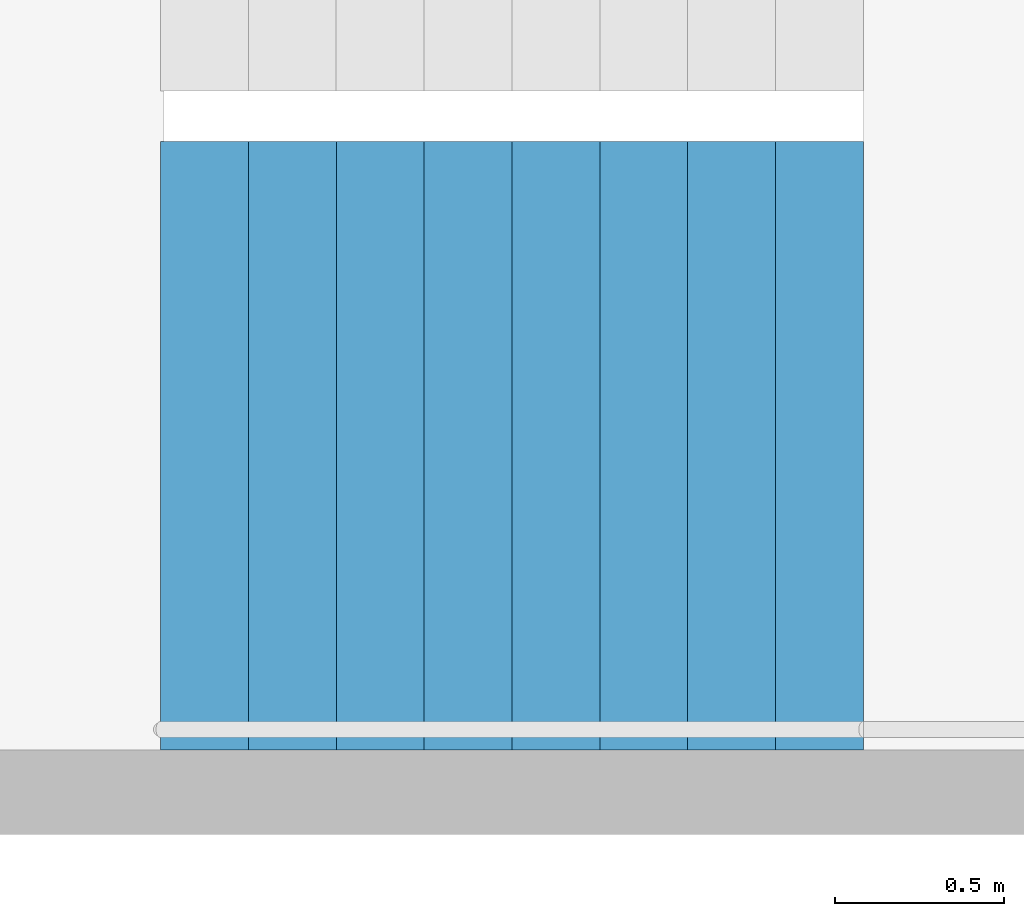
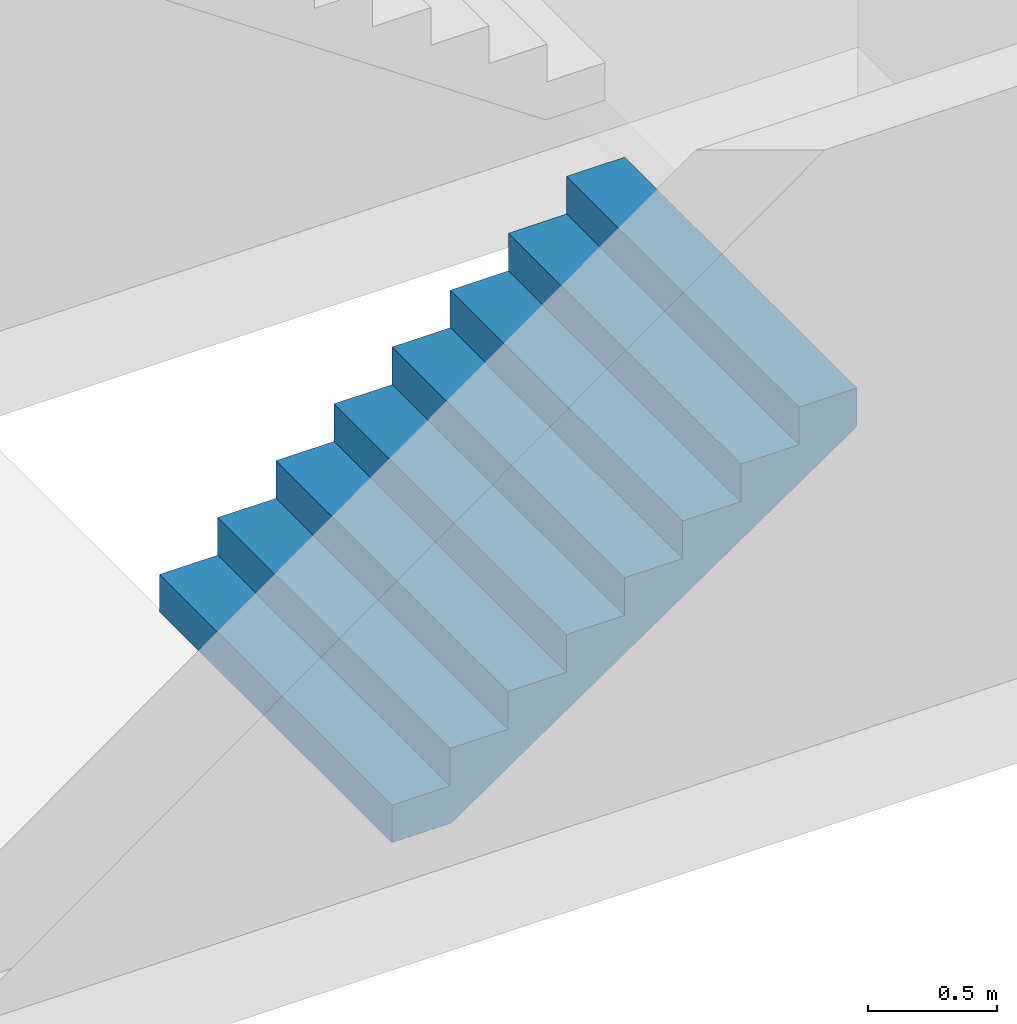
# One storey, part 23 of 29: 1 stair flight, 1 element without a shape of its own.
"""IFC4 building model written with IfcOpenShell, lengths in metres."""

from ifc_helpers import new_model, si_unit, direction, frame, origin, place, context, subcontext, project, spatial, triangles, material, type_object, element, aggregate, save


model = new_model("IFC4")

# Units and contexts
model_context = context("Model", 3, precision=1e-05, world=origin(), true_north=direction((0.0, 1.0)))
body_context = subcontext(model_context, "Body", "Model", "MODEL_VIEW")
ifc_project = project(units=[si_unit("LENGTHUNIT", "METRE"), si_unit("AREAUNIT", "SQUARE_METRE"), si_unit("VOLUMEUNIT", "CUBIC_METRE"), si_unit("PLANEANGLEUNIT", "RADIAN"), si_unit("MASSUNIT", "GRAM", prefix="KILO")], contexts=[model_context])

# Site, building, storey
site_placement = place(None, origin())
site = spatial("IfcSite", under=ifc_project, at=site_placement, CompositionType="ELEMENT")
building_placement = place(site_placement, origin())
building = spatial("IfcBuilding", under=site, at=building_placement, Name="Hakoniwa Tower and Hamabe Station Hall", CompositionType="ELEMENT")
storey_placement = place(building_placement, frame((0.0, 0.0, 75.39990234375)))
storey = spatial("IfcBuildingStorey", under=building, at=storey_placement, Name="L20", CompositionType="ELEMENT", Elevation=75.39990234375)

# Stair, stair flight
ifc_material_1 = material(Name="Concrete C40", Category="concrete")
stair_type = type_object("IfcStairType", Name="ESCAPE STAIR 1800", PredefinedType="HALF_TURN_STAIR", material=ifc_material_1)
stair_placement = place(storey_placement, origin())
stair = element("IfcStair", 1, at=stair_placement, inside=storey, type_object=stair_type, Name="Escape stair ST-1 L20", PredefinedType="HALF_TURN_STAIR")
ifc_material_2 = material(Name="Concrete C40", Category="concrete")
stair_flight_type = type_object("IfcStairFlightType", Name="STAIR FLIGHT 1800", PredefinedType="STRAIGHT", material=ifc_material_2)
stair_flight_placement = place(storey_placement, frame((-24.39990234375, 4.64990234375, 0.0), z_axis=(0.0, 0.0, 1.0), x_axis=(1.0, 0.0, 0.0)))
stair_flight = element("IfcStairFlight", 2, at=stair_flight_placement, type_object=stair_flight_type, Name="ST-1 flight 1", NumberOfRisers=9, NumberOfTreads=8, PredefinedType="STRAIGHT", RiserHeight=0.177777778, TreadLength=0.26, context=body_context, shape_type="Tessellation", body=[
    triangles([(0.0, 0.89990234375, 0.0), (0.260009765625, 0.89990234375, 0.0), (0.265625, 0.89990234375, 0.0), (0.52001953125, 0.89990234375, 0.174072265625), (0.780029296875, 0.89990234375, 0.351806640625), (1.0400390625, 0.89990234375, 0.529541015625), (1.300048828125, 0.89990234375, 0.707275390625), (1.56005859375, 0.89990234375, 0.885009765625), (1.820068359375, 0.89990234375, 1.062744140625), (2.080078125, 0.89990234375, 1.24072265625), (2.080078125, 0.89990234375, 1.422119140625), (1.820068359375, 0.89990234375, 1.422119140625), (1.820068359375, 0.89990234375, 1.244384765625), (1.56005859375, 0.89990234375, 1.244384765625), (1.56005859375, 0.89990234375, 1.066650390625), (1.300048828125, 0.89990234375, 1.066650390625), (1.300048828125, 0.89990234375, 0.888916015625), (1.0400390625, 0.89990234375, 0.888916015625), (1.0400390625, 0.89990234375, 0.711181640625), (0.780029296875, 0.89990234375, 0.711181640625), (0.780029296875, 0.89990234375, 0.533447265625), (0.52001953125, 0.89990234375, 0.533447265625), (0.52001953125, 0.89990234375, 0.35546875), (0.265625, 0.89990234375, 0.35546875), (0.260009765625, 0.89990234375, 0.35546875), (0.260009765625, 0.89990234375, 0.177734375), (0.0, 0.89990234375, 0.177734375), (0.0, 0.06005859375, 0.0), (0.260009765625, 0.06005859375, 0.0), (0.265625, 0.06005859375, 0.0), (0.52001953125, 0.06005859375, 0.174072265625), (0.780029296875, 0.06005859375, 0.351806640625), (1.0400390625, 0.06005859375, 0.529541015625), (1.300048828125, 0.06005859375, 0.707275390625), (1.56005859375, 0.06005859375, 0.885009765625), (1.820068359375, 0.06005859375, 1.062744140625), (2.080078125, 0.06005859375, 1.24072265625), (2.080078125, 0.06005859375, 1.422119140625), (1.820068359375, 0.06005859375, 1.422119140625), (1.820068359375, 0.06005859375, 1.244384765625), (1.56005859375, 0.06005859375, 1.244384765625), (1.56005859375, 0.06005859375, 1.066650390625), (1.300048828125, 0.06005859375, 1.066650390625), (1.300048828125, 0.06005859375, 0.888916015625), (1.0400390625, 0.06005859375, 0.888916015625), (1.0400390625, 0.06005859375, 0.711181640625), (0.780029296875, 0.06005859375, 0.711181640625), (0.780029296875, 0.06005859375, 0.533447265625), (0.52001953125, 0.06005859375, 0.533447265625), (0.52001953125, 0.06005859375, 0.35546875), (0.265625, 0.06005859375, 0.35546875), (0.260009765625, 0.06005859375, 0.35546875), (0.260009765625, 0.06005859375, 0.177734375), (0.0, 0.06005859375, 0.177734375), (0.0, 0.04296875, 0.0), (0.260009765625, 0.04296875, 0.0), (0.265625, 0.04296875, 0.0), (0.52001953125, 0.04296875, 0.174072265625), (0.780029296875, 0.04296875, 0.351806640625), (1.0400390625, 0.04296875, 0.529541015625), (1.300048828125, 0.04296875, 0.707275390625), (1.56005859375, 0.04296875, 0.885009765625), (1.820068359375, 0.04296875, 1.062744140625), (2.080078125, 0.04296875, 1.24072265625), (2.080078125, 0.04296875, 1.422119140625), (1.820068359375, 0.04296875, 1.422119140625), (1.820068359375, 0.04296875, 1.244384765625), (1.56005859375, 0.04296875, 1.244384765625), (1.56005859375, 0.04296875, 1.066650390625), (1.300048828125, 0.04296875, 1.066650390625), (1.300048828125, 0.04296875, 0.888916015625), (1.0400390625, 0.04296875, 0.888916015625), (1.0400390625, 0.04296875, 0.711181640625), (0.780029296875, 0.04296875, 0.711181640625), (0.780029296875, 0.04296875, 0.533447265625), (0.52001953125, 0.04296875, 0.533447265625), (0.52001953125, 0.04296875, 0.35546875), (0.265625, 0.04296875, 0.35546875), (0.260009765625, 0.04296875, 0.35546875), (0.260009765625, 0.04296875, 0.177734375), (0.0, 0.04296875, 0.177734375), (0.0, 0.025634765625, 0.0), (0.260009765625, 0.025634765625, 0.0), (0.265625, 0.025634765625, 0.0), (0.52001953125, 0.025634765625, 0.174072265625), (0.780029296875, 0.025634765625, 0.351806640625), (1.0400390625, 0.025634765625, 0.529541015625), (1.300048828125, 0.025634765625, 0.707275390625), (1.56005859375, 0.025634765625, 0.885009765625), (1.820068359375, 0.025634765625, 1.062744140625), (2.080078125, 0.025634765625, 1.24072265625), (2.080078125, 0.025634765625, 1.422119140625), (1.820068359375, 0.025634765625, 1.422119140625), (1.820068359375, 0.025634765625, 1.244384765625), (1.56005859375, 0.025634765625, 1.244384765625), (1.56005859375, 0.025634765625, 1.066650390625), (1.300048828125, 0.025634765625, 1.066650390625), (1.300048828125, 0.025634765625, 0.888916015625), (1.0400390625, 0.025634765625, 0.888916015625), (1.0400390625, 0.025634765625, 0.711181640625), (0.780029296875, 0.025634765625, 0.711181640625), (0.780029296875, 0.025634765625, 0.533447265625), (0.52001953125, 0.025634765625, 0.533447265625), (0.52001953125, 0.025634765625, 0.35546875), (0.265625, 0.025634765625, 0.35546875), (0.260009765625, 0.025634765625, 0.35546875), (0.260009765625, 0.025634765625, 0.177734375), (0.0, 0.025634765625, 0.177734375), (0.0, 0.008544921875, 0.0), (0.260009765625, 0.008544921875, 0.0), (0.265625, 0.008544921875, 0.0), (0.52001953125, 0.008544921875, 0.174072265625), (0.780029296875, 0.008544921875, 0.351806640625), (1.0400390625, 0.008544921875, 0.529541015625), (1.300048828125, 0.008544921875, 0.707275390625), (1.56005859375, 0.008544921875, 0.885009765625), (1.820068359375, 0.008544921875, 1.062744140625), (2.080078125, 0.008544921875, 1.24072265625), (2.080078125, 0.008544921875, 1.422119140625), (1.820068359375, 0.008544921875, 1.422119140625), (1.820068359375, 0.008544921875, 1.244384765625), (1.56005859375, 0.008544921875, 1.244384765625), (1.56005859375, 0.008544921875, 1.066650390625), (1.300048828125, 0.008544921875, 1.066650390625), (1.300048828125, 0.008544921875, 0.888916015625), (1.0400390625, 0.008544921875, 0.888916015625), (1.0400390625, 0.008544921875, 0.711181640625), (0.780029296875, 0.008544921875, 0.711181640625), (0.780029296875, 0.008544921875, 0.533447265625), (0.52001953125, 0.008544921875, 0.533447265625), (0.52001953125, 0.008544921875, 0.35546875), (0.265625, 0.008544921875, 0.35546875), (0.260009765625, 0.008544921875, 0.35546875), (0.260009765625, 0.008544921875, 0.177734375), (0.0, 0.008544921875, 0.177734375), (0.0, -0.008544921875, 0.0), (0.260009765625, -0.008544921875, 0.0), (0.265625, -0.008544921875, 0.0), (0.52001953125, -0.008544921875, 0.174072265625), (0.780029296875, -0.008544921875, 0.351806640625), (1.0400390625, -0.008544921875, 0.529541015625), (1.300048828125, -0.008544921875, 0.707275390625), (1.56005859375, -0.008544921875, 0.885009765625), (1.820068359375, -0.008544921875, 1.062744140625), (2.080078125, -0.008544921875, 1.24072265625), (2.080078125, -0.008544921875, 1.422119140625), (1.820068359375, -0.008544921875, 1.422119140625), (1.820068359375, -0.008544921875, 1.244384765625), (1.56005859375, -0.008544921875, 1.244384765625), (1.56005859375, -0.008544921875, 1.066650390625), (1.300048828125, -0.008544921875, 1.066650390625), (1.300048828125, -0.008544921875, 0.888916015625), (1.0400390625, -0.008544921875, 0.888916015625), (1.0400390625, -0.008544921875, 0.711181640625), (0.780029296875, -0.008544921875, 0.711181640625), (0.780029296875, -0.008544921875, 0.533447265625), (0.52001953125, -0.008544921875, 0.533447265625), (0.52001953125, -0.008544921875, 0.35546875), (0.265625, -0.008544921875, 0.35546875), (0.260009765625, -0.008544921875, 0.35546875), (0.260009765625, -0.008544921875, 0.177734375), (0.0, -0.008544921875, 0.177734375), (0.0, -0.025634765625, 0.0), (0.260009765625, -0.025634765625, 0.0), (0.265625, -0.025634765625, 0.0), (0.52001953125, -0.025634765625, 0.174072265625), (0.780029296875, -0.025634765625, 0.351806640625), (1.0400390625, -0.025634765625, 0.529541015625), (1.300048828125, -0.025634765625, 0.707275390625), (1.56005859375, -0.025634765625, 0.885009765625), (1.820068359375, -0.025634765625, 1.062744140625), (2.080078125, -0.025634765625, 1.24072265625), (2.080078125, -0.025634765625, 1.422119140625), (1.820068359375, -0.025634765625, 1.422119140625), (1.820068359375, -0.025634765625, 1.244384765625), (1.56005859375, -0.025634765625, 1.244384765625), (1.56005859375, -0.025634765625, 1.066650390625), (1.300048828125, -0.025634765625, 1.066650390625), (1.300048828125, -0.025634765625, 0.888916015625), (1.0400390625, -0.025634765625, 0.888916015625), (1.0400390625, -0.025634765625, 0.711181640625), (0.780029296875, -0.025634765625, 0.711181640625), (0.780029296875, -0.025634765625, 0.533447265625), (0.52001953125, -0.025634765625, 0.533447265625), (0.52001953125, -0.025634765625, 0.35546875), (0.265625, -0.025634765625, 0.35546875), (0.260009765625, -0.025634765625, 0.35546875), (0.260009765625, -0.025634765625, 0.177734375), (0.0, -0.025634765625, 0.177734375), (0.0, -0.04296875, 0.0), (0.260009765625, -0.04296875, 0.0), (0.265625, -0.04296875, 0.0), (0.52001953125, -0.04296875, 0.174072265625), (0.780029296875, -0.04296875, 0.351806640625), (1.0400390625, -0.04296875, 0.529541015625), (1.300048828125, -0.04296875, 0.707275390625), (1.56005859375, -0.04296875, 0.885009765625), (1.820068359375, -0.04296875, 1.062744140625), (2.080078125, -0.04296875, 1.24072265625), (2.080078125, -0.04296875, 1.422119140625), (1.820068359375, -0.04296875, 1.422119140625), (1.820068359375, -0.04296875, 1.244384765625), (1.56005859375, -0.04296875, 1.244384765625), (1.56005859375, -0.04296875, 1.066650390625), (1.300048828125, -0.04296875, 1.066650390625), (1.300048828125, -0.04296875, 0.888916015625), (1.0400390625, -0.04296875, 0.888916015625), (1.0400390625, -0.04296875, 0.711181640625), (0.780029296875, -0.04296875, 0.711181640625), (0.780029296875, -0.04296875, 0.533447265625), (0.52001953125, -0.04296875, 0.533447265625), (0.52001953125, -0.04296875, 0.35546875), (0.265625, -0.04296875, 0.35546875), (0.260009765625, -0.04296875, 0.35546875), (0.260009765625, -0.04296875, 0.177734375), (0.0, -0.04296875, 0.177734375), (0.0, -0.06005859375, 0.0), (0.260009765625, -0.06005859375, 0.0), (0.265625, -0.06005859375, 0.0), (0.52001953125, -0.06005859375, 0.174072265625), (0.780029296875, -0.06005859375, 0.351806640625), (1.0400390625, -0.06005859375, 0.529541015625), (1.300048828125, -0.06005859375, 0.707275390625), (1.56005859375, -0.06005859375, 0.885009765625), (1.820068359375, -0.06005859375, 1.062744140625), (2.080078125, -0.06005859375, 1.24072265625), (2.080078125, -0.06005859375, 1.422119140625), (1.820068359375, -0.06005859375, 1.422119140625), (1.820068359375, -0.06005859375, 1.244384765625), (1.56005859375, -0.06005859375, 1.244384765625), (1.56005859375, -0.06005859375, 1.066650390625), (1.300048828125, -0.06005859375, 1.066650390625), (1.300048828125, -0.06005859375, 0.888916015625), (1.0400390625, -0.06005859375, 0.888916015625), (1.0400390625, -0.06005859375, 0.711181640625), (0.780029296875, -0.06005859375, 0.711181640625), (0.780029296875, -0.06005859375, 0.533447265625), (0.52001953125, -0.06005859375, 0.533447265625), (0.52001953125, -0.06005859375, 0.35546875), (0.265625, -0.06005859375, 0.35546875), (0.260009765625, -0.06005859375, 0.35546875), (0.260009765625, -0.06005859375, 0.177734375), (0.0, -0.06005859375, 0.177734375), (0.0, -0.89990234375, 0.0), (0.260009765625, -0.89990234375, 0.0), (0.265625, -0.89990234375, 0.0), (0.52001953125, -0.89990234375, 0.174072265625), (0.780029296875, -0.89990234375, 0.351806640625), (1.0400390625, -0.89990234375, 0.529541015625), (1.300048828125, -0.89990234375, 0.707275390625), (1.56005859375, -0.89990234375, 0.885009765625), (1.820068359375, -0.89990234375, 1.062744140625), (2.080078125, -0.89990234375, 1.24072265625), (2.080078125, -0.89990234375, 1.422119140625), (1.820068359375, -0.89990234375, 1.422119140625), (1.820068359375, -0.89990234375, 1.244384765625), (1.56005859375, -0.89990234375, 1.244384765625), (1.56005859375, -0.89990234375, 1.066650390625), (1.300048828125, -0.89990234375, 1.066650390625), (1.300048828125, -0.89990234375, 0.888916015625), (1.0400390625, -0.89990234375, 0.888916015625), (1.0400390625, -0.89990234375, 0.711181640625), (0.780029296875, -0.89990234375, 0.711181640625), (0.780029296875, -0.89990234375, 0.533447265625), (0.52001953125, -0.89990234375, 0.533447265625), (0.52001953125, -0.89990234375, 0.35546875), (0.265625, -0.89990234375, 0.35546875), (0.260009765625, -0.89990234375, 0.35546875), (0.260009765625, -0.89990234375, 0.177734375), (0.0, -0.89990234375, 0.177734375)], [[2, 27, 26], [245, 269, 270], [2, 1, 27], [245, 270, 244], [3, 25, 24], [246, 267, 268], [3, 26, 25], [246, 268, 269], [3, 2, 26], [246, 269, 245], [4, 24, 23], [247, 266, 267], [4, 3, 24], [247, 267, 246], [5, 22, 21], [248, 264, 265], [5, 23, 22], [248, 265, 266], [5, 4, 23], [248, 266, 247], [6, 20, 19], [249, 262, 263], [6, 21, 20], [249, 263, 264], [6, 5, 21], [249, 264, 248], [7, 18, 17], [250, 260, 261], [7, 19, 18], [250, 261, 262], [7, 6, 19], [250, 262, 249], [8, 16, 15], [251, 258, 259], [8, 17, 16], [251, 259, 260], [8, 7, 17], [251, 260, 250], [9, 14, 13], [252, 256, 257], [9, 15, 14], [252, 257, 258], [9, 8, 15], [252, 258, 251], [10, 12, 11], [253, 254, 255], [10, 13, 12], [253, 255, 256], [10, 9, 13], [253, 256, 252], [1, 2, 29], [1, 29, 28], [28, 29, 56], [28, 56, 55], [55, 56, 83], [55, 83, 82], [82, 83, 110], [82, 110, 109], [109, 110, 137], [109, 137, 136], [136, 137, 164], [136, 164, 163], [163, 164, 191], [163, 191, 190], [190, 191, 218], [190, 218, 217], [217, 218, 245], [217, 245, 244], [2, 3, 30], [2, 30, 29], [29, 30, 57], [29, 57, 56], [56, 57, 84], [56, 84, 83], [83, 84, 111], [83, 111, 110], [110, 111, 138], [110, 138, 137], [137, 138, 165], [137, 165, 164], [164, 165, 192], [164, 192, 191], [191, 192, 219], [191, 219, 218], [218, 219, 246], [218, 246, 245], [3, 4, 31], [3, 31, 30], [30, 31, 58], [30, 58, 57], [57, 58, 85], [57, 85, 84], [84, 85, 112], [84, 112, 111], [111, 112, 139], [111, 139, 138], [138, 139, 166], [138, 166, 165], [165, 166, 193], [165, 193, 192], [192, 193, 220], [192, 220, 219], [219, 220, 247], [219, 247, 246], [4, 5, 32], [4, 32, 31], [31, 32, 59], [31, 59, 58], [58, 59, 86], [58, 86, 85], [85, 86, 113], [85, 113, 112], [112, 113, 140], [112, 140, 139], [139, 140, 167], [139, 167, 166], [166, 167, 194], [166, 194, 193], [193, 194, 221], [193, 221, 220], [220, 221, 248], [220, 248, 247], [5, 6, 33], [5, 33, 32], [32, 33, 60], [32, 60, 59], [59, 60, 87], [59, 87, 86], [86, 87, 114], [86, 114, 113], [113, 114, 141], [113, 141, 140], [140, 141, 168], [140, 168, 167], [167, 168, 195], [167, 195, 194], [194, 195, 222], [194, 222, 221], [221, 222, 249], [221, 249, 248], [6, 7, 34], [6, 34, 33], [33, 34, 61], [33, 61, 60], [60, 61, 88], [60, 88, 87], [87, 88, 115], [87, 115, 114], [114, 115, 142], [114, 142, 141], [141, 142, 169], [141, 169, 168], [168, 169, 196], [168, 196, 195], [195, 196, 223], [195, 223, 222], [222, 223, 250], [222, 250, 249], [7, 8, 35], [7, 35, 34], [34, 35, 62], [34, 62, 61], [61, 62, 89], [61, 89, 88], [88, 89, 116], [88, 116, 115], [115, 116, 143], [115, 143, 142], [142, 143, 170], [142, 170, 169], [169, 170, 197], [169, 197, 196], [196, 197, 224], [196, 224, 223], [223, 224, 251], [223, 251, 250], [8, 9, 36], [8, 36, 35], [35, 36, 63], [35, 63, 62], [62, 63, 90], [62, 90, 89], [89, 90, 117], [89, 117, 116], [116, 117, 144], [116, 144, 143], [143, 144, 171], [143, 171, 170], [170, 171, 198], [170, 198, 197], [197, 198, 225], [197, 225, 224], [224, 225, 252], [224, 252, 251], [9, 10, 37], [9, 37, 36], [36, 37, 64], [36, 64, 63], [63, 64, 91], [63, 91, 90], [90, 91, 118], [90, 118, 117], [117, 118, 145], [117, 145, 144], [144, 145, 172], [144, 172, 171], [171, 172, 199], [171, 199, 198], [198, 199, 226], [198, 226, 225], [225, 226, 253], [225, 253, 252], [10, 11, 38], [10, 38, 37], [37, 38, 65], [37, 65, 64], [64, 65, 92], [64, 92, 91], [91, 92, 119], [91, 119, 118], [118, 119, 146], [118, 146, 145], [145, 146, 173], [145, 173, 172], [172, 173, 200], [172, 200, 199], [199, 200, 227], [199, 227, 226], [226, 227, 254], [226, 254, 253], [11, 12, 39], [11, 39, 38], [38, 39, 66], [38, 66, 65], [65, 66, 93], [65, 93, 92], [92, 93, 120], [92, 120, 119], [119, 120, 147], [119, 147, 146], [146, 147, 174], [146, 174, 173], [173, 174, 201], [173, 201, 200], [200, 201, 228], [200, 228, 227], [227, 228, 255], [227, 255, 254], [12, 13, 40], [12, 40, 39], [39, 40, 67], [39, 67, 66], [66, 67, 94], [66, 94, 93], [93, 94, 121], [93, 121, 120], [120, 121, 148], [120, 148, 147], [147, 148, 175], [147, 175, 174], [174, 175, 202], [174, 202, 201], [201, 202, 229], [201, 229, 228], [228, 229, 256], [228, 256, 255], [13, 14, 41], [13, 41, 40], [40, 41, 68], [40, 68, 67], [67, 68, 95], [67, 95, 94], [94, 95, 122], [94, 122, 121], [121, 122, 149], [121, 149, 148], [148, 149, 176], [148, 176, 175], [175, 176, 203], [175, 203, 202], [202, 203, 230], [202, 230, 229], [229, 230, 257], [229, 257, 256], [14, 15, 42], [14, 42, 41], [41, 42, 69], [41, 69, 68], [68, 69, 96], [68, 96, 95], [95, 96, 123], [95, 123, 122], [122, 123, 150], [122, 150, 149], [149, 150, 177], [149, 177, 176], [176, 177, 204], [176, 204, 203], [203, 204, 231], [203, 231, 230], [230, 231, 258], [230, 258, 257], [15, 16, 43], [15, 43, 42], [42, 43, 70], [42, 70, 69], [69, 70, 97], [69, 97, 96], [96, 97, 124], [96, 124, 123], [123, 124, 151], [123, 151, 150], [150, 151, 178], [150, 178, 177], [177, 178, 205], [177, 205, 204], [204, 205, 232], [204, 232, 231], [231, 232, 259], [231, 259, 258], [16, 17, 44], [16, 44, 43], [43, 44, 71], [43, 71, 70], [70, 71, 98], [70, 98, 97], [97, 98, 125], [97, 125, 124], [124, 125, 152], [124, 152, 151], [151, 152, 179], [151, 179, 178], [178, 179, 206], [178, 206, 205], [205, 206, 233], [205, 233, 232], [232, 233, 260], [232, 260, 259], [17, 18, 45], [17, 45, 44], [44, 45, 72], [44, 72, 71], [71, 72, 99], [71, 99, 98], [98, 99, 126], [98, 126, 125], [125, 126, 153], [125, 153, 152], [152, 153, 180], [152, 180, 179], [179, 180, 207], [179, 207, 206], [206, 207, 234], [206, 234, 233], [233, 234, 261], [233, 261, 260], [18, 19, 46], [18, 46, 45], [45, 46, 73], [45, 73, 72], [72, 73, 100], [72, 100, 99], [99, 100, 127], [99, 127, 126], [126, 127, 154], [126, 154, 153], [153, 154, 181], [153, 181, 180], [180, 181, 208], [180, 208, 207], [207, 208, 235], [207, 235, 234], [234, 235, 262], [234, 262, 261], [19, 20, 47], [19, 47, 46], [46, 47, 74], [46, 74, 73], [73, 74, 101], [73, 101, 100], [100, 101, 128], [100, 128, 127], [127, 128, 155], [127, 155, 154], [154, 155, 182], [154, 182, 181], [181, 182, 209], [181, 209, 208], [208, 209, 236], [208, 236, 235], [235, 236, 263], [235, 263, 262], [20, 21, 48], [20, 48, 47], [47, 48, 75], [47, 75, 74], [74, 75, 102], [74, 102, 101], [101, 102, 129], [101, 129, 128], [128, 129, 156], [128, 156, 155], [155, 156, 183], [155, 183, 182], [182, 183, 210], [182, 210, 209], [209, 210, 237], [209, 237, 236], [236, 237, 264], [236, 264, 263], [21, 22, 49], [21, 49, 48], [48, 49, 76], [48, 76, 75], [75, 76, 103], [75, 103, 102], [102, 103, 130], [102, 130, 129], [129, 130, 157], [129, 157, 156], [156, 157, 184], [156, 184, 183], [183, 184, 211], [183, 211, 210], [210, 211, 238], [210, 238, 237], [237, 238, 265], [237, 265, 264], [22, 23, 50], [22, 50, 49], [49, 50, 77], [49, 77, 76], [76, 77, 104], [76, 104, 103], [103, 104, 131], [103, 131, 130], [130, 131, 158], [130, 158, 157], [157, 158, 185], [157, 185, 184], [184, 185, 212], [184, 212, 211], [211, 212, 239], [211, 239, 238], [238, 239, 266], [238, 266, 265], [23, 24, 51], [23, 51, 50], [50, 51, 78], [50, 78, 77], [77, 78, 105], [77, 105, 104], [104, 105, 132], [104, 132, 131], [131, 132, 159], [131, 159, 158], [158, 159, 186], [158, 186, 185], [185, 186, 213], [185, 213, 212], [212, 213, 240], [212, 240, 239], [239, 240, 267], [239, 267, 266], [24, 25, 52], [24, 52, 51], [51, 52, 79], [51, 79, 78], [78, 79, 106], [78, 106, 105], [105, 106, 133], [105, 133, 132], [132, 133, 160], [132, 160, 159], [159, 160, 187], [159, 187, 186], [186, 187, 214], [186, 214, 213], [213, 214, 241], [213, 241, 240], [240, 241, 268], [240, 268, 267], [25, 26, 53], [25, 53, 52], [52, 53, 80], [52, 80, 79], [79, 80, 107], [79, 107, 106], [106, 107, 134], [106, 134, 133], [133, 134, 161], [133, 161, 160], [160, 161, 188], [160, 188, 187], [187, 188, 215], [187, 215, 214], [214, 215, 242], [214, 242, 241], [241, 242, 269], [241, 269, 268], [26, 27, 54], [26, 54, 53], [53, 54, 81], [53, 81, 80], [80, 81, 108], [80, 108, 107], [107, 108, 135], [107, 135, 134], [134, 135, 162], [134, 162, 161], [161, 162, 189], [161, 189, 188], [188, 189, 216], [188, 216, 215], [215, 216, 243], [215, 243, 242], [242, 243, 270], [242, 270, 269], [27, 1, 28], [27, 28, 54], [54, 28, 55], [54, 55, 81], [81, 55, 82], [81, 82, 108], [108, 82, 109], [108, 109, 135], [135, 109, 136], [135, 136, 162], [162, 136, 163], [162, 163, 189], [189, 163, 190], [189, 190, 216], [216, 190, 217], [216, 217, 243], [243, 217, 244], [243, 244, 270]], closed=True),
])
aggregate(stair, [stair_flight])

save(model, "model.ifc")
